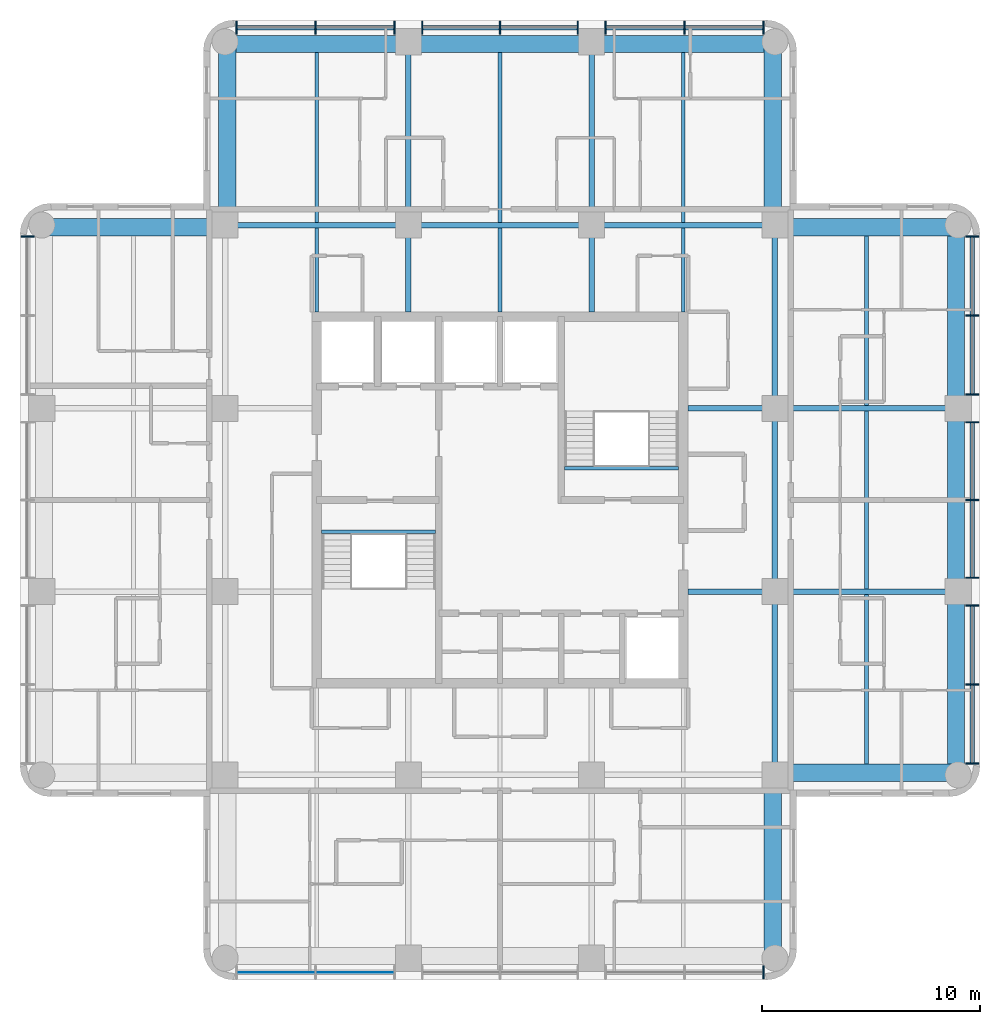
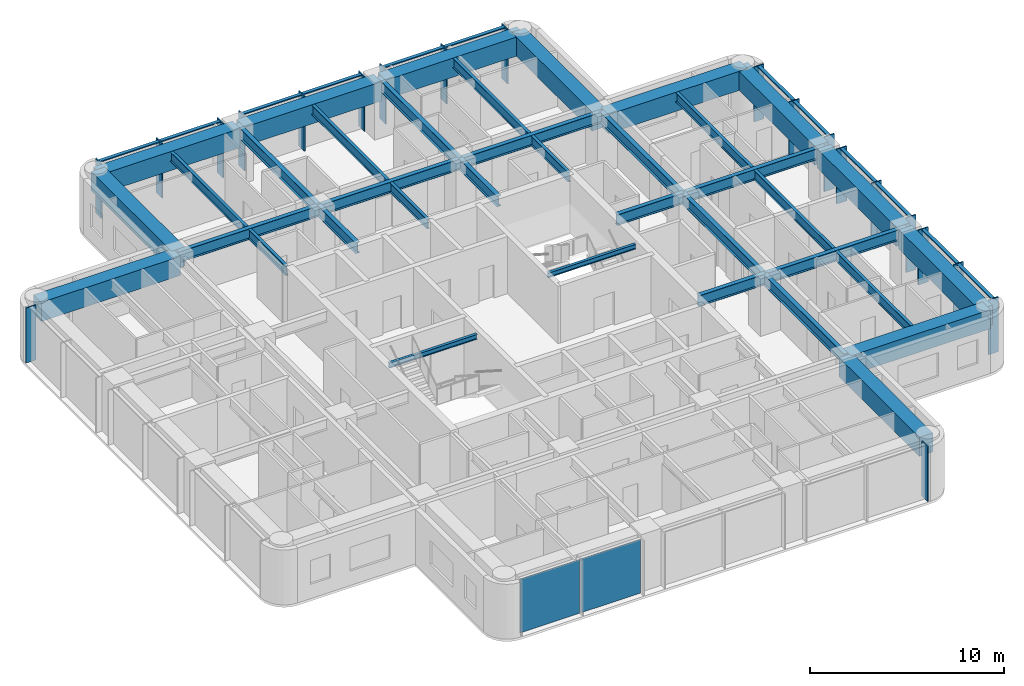
# One storey, part 2 of 10: 37 beams, 32 members, 2 plates, 4 elements without a shape of their own.
"""IFC4 building model written with IfcOpenShell, lengths in metres."""

from ifc_helpers import new_model, si_unit, direction, frame, origin, origin_2d, place, context, subcontext, project, spatial, rectangle, i_section, extrude, material, layer, layer_set, material_profile, profile_set, type_object, element, aggregate, save


model = new_model("IFC4")

# Units and contexts
model_context = context("Model", 3, precision=1e-05, world=origin(), true_north=direction((0.0, 1.0)))
body_context = subcontext(model_context, "Body", "Model", "MODEL_VIEW")
ifc_project = project(units=[si_unit("LENGTHUNIT", "METRE"), si_unit("AREAUNIT", "SQUARE_METRE"), si_unit("VOLUMEUNIT", "CUBIC_METRE"), si_unit("PLANEANGLEUNIT", "RADIAN"), si_unit("MASSUNIT", "GRAM", prefix="KILO")], contexts=[model_context])

# Site, building, storey
site_placement = place(None, origin())
site = spatial("IfcSite", under=ifc_project, at=site_placement, CompositionType="ELEMENT")
building_placement = place(site_placement, origin())
building = spatial("IfcBuilding", under=site, at=building_placement, Name="Torre Alcanfor", CompositionType="ELEMENT")
storey_placement = place(building_placement, frame((0.0, 0.0, 290.10009765625)))
storey = spatial("IfcBuildingStorey", under=building, at=storey_placement, Name="L76", CompositionType="ELEMENT", Elevation=290.10009765625)

# Curtain wall, member
ifc_material_1 = material(Name="Aluminium and glass", Category="aluminium")
curtain_wall_type = type_object("IfcCurtainWallType", Name="CW-A unitised apartment glazing with vertical FIN", PredefinedType="NOTDEFINED", material=ifc_material_1)
curtain_wall_1_placement = place(storey_placement, origin())
curtain_wall_1 = element("IfcCurtainWall", 1, at=curtain_wall_1_placement, inside=storey, type_object=curtain_wall_type, Name="Curtain wall CW-A L76 2", PredefinedType="NOTDEFINED")
ifc_material_2 = material(Name="Bronze anodised aluminium", Category="aluminium")
ifc_material_profile_1 = material_profile(ifc_material_2, rectangle(XDim=0.60009765625, YDim=0.06494140625, at=origin_2d()), Name="CW-A mullion 65x600")
ifc_profile_set_1 = profile_set([ifc_material_profile_1], Name="Bronze anodised aluminium")
member_type_1 = type_object("IfcMemberType", Name="CW-A mullion with vertical FIN 65x600", PredefinedType="MULLION", material=ifc_profile_set_1)
member_1_placement = place(storey_placement, frame((7.75, 41.47412109375, 0.0), z_axis=(0.0, 0.0, 1.0), x_axis=(1.0, 0.0, 0.0)))
member_1 = element("IfcMember", 2, at=member_1_placement, type_object=member_type_1, Name="CW-A mullion 1.1", PredefinedType="MULLION", context=body_context, shape_type="SweptSolid", body=[
    extrude(rectangle(XDim=0.60009765625, YDim=0.06494140625, at=origin_2d()), origin(), (0.0, 0.0, 1.0), 3.449951171875),
])
aggregate(curtain_wall_1, [member_1])

curtain_wall_2_placement = place(storey_placement, origin())
curtain_wall_2 = element("IfcCurtainWall", 3, at=curtain_wall_2_placement, inside=storey, type_object=curtain_wall_type, Name="Curtain wall CW-A L76 5", PredefinedType="NOTDEFINED")
member_2_placement = place(storey_placement, frame((41.47412109375, 7.75, 0.0), z_axis=(0.0, 0.0, 1.0), x_axis=(0.0, 1.0, 0.0)))
member_2 = element("IfcMember", 4, at=member_2_placement, type_object=member_type_1, Name="CW-A mullion 3.3", PredefinedType="MULLION", context=body_context, shape_type="SweptSolid", body=[
    extrude(rectangle(XDim=0.60009765625, YDim=0.06494140625, at=origin_2d()), origin(), (0.0, 0.0, 1.0), 3.449951171875),
])

# Curtain wall, members
curtain_wall_3_placement = place(storey_placement, origin())
curtain_wall_3 = element("IfcCurtainWall", 5, at=curtain_wall_3_placement, inside=storey, type_object=curtain_wall_type, Name="Curtain wall CW-A L76 8", PredefinedType="NOTDEFINED")
member_3_placement = place(storey_placement, frame((51.050048828125, 17.325927734375, 0.0), z_axis=(0.0, 0.0, 1.0), x_axis=(-1.0, 0.0, 0.0)))
member_3 = element("IfcMember", 6, at=member_3_placement, type_object=member_type_1, Name="CW-A mullion 1.1", PredefinedType="MULLION", context=body_context, shape_type="SweptSolid", body=[
    extrude(rectangle(XDim=0.60009765625, YDim=0.06494140625, at=origin_2d()), origin(), (0.0, 0.0, 1.0), 3.449951171875),
])
member_4_placement = place(storey_placement, frame((51.050048828125, 20.9443359375, 0.0), z_axis=(0.0, 0.0, 1.0), x_axis=(-1.0, 0.0, 0.0)))
member_4 = element("IfcMember", 7, at=member_4_placement, type_object=member_type_1, Name="CW-A mullion 1.2", PredefinedType="MULLION", context=body_context, shape_type="SweptSolid", body=[
    extrude(rectangle(XDim=0.60009765625, YDim=0.06494140625, at=origin_2d()), origin(), (0.0, 0.0, 1.0), 3.449951171875),
])
member_5_placement = place(storey_placement, frame((51.050048828125, 24.5625, 0.0), z_axis=(0.0, 0.0, 1.0), x_axis=(-1.0, 0.0, 0.0)))
member_5 = element("IfcMember", 8, at=member_5_placement, type_object=member_type_1, Name="CW-A mullion 1.3", PredefinedType="MULLION", context=body_context, shape_type="SweptSolid", body=[
    extrude(rectangle(XDim=0.60009765625, YDim=0.06494140625, at=origin_2d()), origin(), (0.0, 0.0, 1.0), 3.449951171875),
])
member_6_placement = place(storey_placement, frame((51.050048828125, 25.83740234375, 0.0), z_axis=(0.0, 0.0, 1.0), x_axis=(-1.0, 0.0, 0.0)))
member_6 = element("IfcMember", 9, at=member_6_placement, type_object=member_type_1, Name="CW-A mullion 2.1", PredefinedType="MULLION", context=body_context, shape_type="SweptSolid", body=[
    extrude(rectangle(XDim=0.60009765625, YDim=0.06494140625, at=origin_2d()), origin(), (0.0, 0.0, 1.0), 3.449951171875),
])
member_7_placement = place(storey_placement, frame((51.050048828125, 29.39990234375, 0.0), z_axis=(0.0, 0.0, 1.0), x_axis=(-1.0, 0.0, 0.0)))
member_7 = element("IfcMember", 10, at=member_7_placement, type_object=member_type_1, Name="CW-A mullion 2.2", PredefinedType="MULLION", context=body_context, shape_type="SweptSolid", body=[
    extrude(rectangle(XDim=0.60009765625, YDim=0.06494140625, at=origin_2d()), origin(), (0.0, 0.0, 1.0), 3.449951171875),
])
member_8_placement = place(storey_placement, frame((51.050048828125, 32.96240234375, 0.0), z_axis=(0.0, 0.0, 1.0), x_axis=(-1.0, 0.0, 0.0)))
member_8 = element("IfcMember", 11, at=member_8_placement, type_object=member_type_1, Name="CW-A mullion 2.3", PredefinedType="MULLION", context=body_context, shape_type="SweptSolid", body=[
    extrude(rectangle(XDim=0.60009765625, YDim=0.06494140625, at=origin_2d()), origin(), (0.0, 0.0, 1.0), 3.449951171875),
])
member_9_placement = place(storey_placement, frame((51.050048828125, 34.237548828125, 0.0), z_axis=(0.0, 0.0, 1.0), x_axis=(-1.0, 0.0, 0.0)))
member_9 = element("IfcMember", 12, at=member_9_placement, type_object=member_type_1, Name="CW-A mullion 3.1", PredefinedType="MULLION", context=body_context, shape_type="SweptSolid", body=[
    extrude(rectangle(XDim=0.60009765625, YDim=0.06494140625, at=origin_2d()), origin(), (0.0, 0.0, 1.0), 3.449951171875),
])
member_10_placement = place(storey_placement, frame((51.050048828125, 37.855712890625, 0.0), z_axis=(0.0, 0.0, 1.0), x_axis=(-1.0, 0.0, 0.0)))
member_10 = element("IfcMember", 13, at=member_10_placement, type_object=member_type_1, Name="CW-A mullion 3.2", PredefinedType="MULLION", context=body_context, shape_type="SweptSolid", body=[
    extrude(rectangle(XDim=0.60009765625, YDim=0.06494140625, at=origin_2d()), origin(), (0.0, 0.0, 1.0), 3.449951171875),
])
member_11_placement = place(storey_placement, frame((51.050048828125, 41.47412109375, 0.0), z_axis=(0.0, 0.0, 1.0), x_axis=(-1.0, 0.0, 0.0)))
member_11 = element("IfcMember", 14, at=member_11_placement, type_object=member_type_1, Name="CW-A mullion 3.3", PredefinedType="MULLION", context=body_context, shape_type="SweptSolid", body=[
    extrude(rectangle(XDim=0.60009765625, YDim=0.06494140625, at=origin_2d()), origin(), (0.0, 0.0, 1.0), 3.449951171875),
])

curtain_wall_4_placement = place(storey_placement, origin())
curtain_wall_4 = element("IfcCurtainWall", 15, at=curtain_wall_4_placement, inside=storey, type_object=curtain_wall_type, Name="Curtain wall CW-A L76 11", PredefinedType="NOTDEFINED")
member_12_placement = place(storey_placement, frame((41.47412109375, 51.050048828125, 0.0), z_axis=(0.0, 0.0, 1.0), x_axis=(0.0, -1.0, 0.0)))
member_12 = element("IfcMember", 16, at=member_12_placement, type_object=member_type_1, Name="CW-A mullion 1.1", PredefinedType="MULLION", context=body_context, shape_type="SweptSolid", body=[
    extrude(rectangle(XDim=0.60009765625, YDim=0.06494140625, at=origin_2d()), origin(), (0.0, 0.0, 1.0), 3.449951171875),
])
member_13_placement = place(storey_placement, frame((37.855712890625, 51.050048828125, 0.0), z_axis=(0.0, 0.0, 1.0), x_axis=(0.0, -1.0, 0.0)))
member_13 = element("IfcMember", 17, at=member_13_placement, type_object=member_type_1, Name="CW-A mullion 1.2", PredefinedType="MULLION", context=body_context, shape_type="SweptSolid", body=[
    extrude(rectangle(XDim=0.60009765625, YDim=0.06494140625, at=origin_2d()), origin(), (0.0, 0.0, 1.0), 3.449951171875),
])
member_14_placement = place(storey_placement, frame((34.237548828125, 51.050048828125, 0.0), z_axis=(0.0, 0.0, 1.0), x_axis=(0.0, -1.0, 0.0)))
member_14 = element("IfcMember", 18, at=member_14_placement, type_object=member_type_1, Name="CW-A mullion 1.3", PredefinedType="MULLION", context=body_context, shape_type="SweptSolid", body=[
    extrude(rectangle(XDim=0.60009765625, YDim=0.06494140625, at=origin_2d()), origin(), (0.0, 0.0, 1.0), 3.449951171875),
])
member_15_placement = place(storey_placement, frame((32.96240234375, 51.050048828125, 0.0), z_axis=(0.0, 0.0, 1.0), x_axis=(0.0, -1.0, 0.0)))
member_15 = element("IfcMember", 19, at=member_15_placement, type_object=member_type_1, Name="CW-A mullion 2.1", PredefinedType="MULLION", context=body_context, shape_type="SweptSolid", body=[
    extrude(rectangle(XDim=0.60009765625, YDim=0.06494140625, at=origin_2d()), origin(), (0.0, 0.0, 1.0), 3.449951171875),
])
member_16_placement = place(storey_placement, frame((29.39990234375, 51.050048828125, 0.0), z_axis=(0.0, 0.0, 1.0), x_axis=(0.0, -1.0, 0.0)))
member_16 = element("IfcMember", 20, at=member_16_placement, type_object=member_type_1, Name="CW-A mullion 2.2", PredefinedType="MULLION", context=body_context, shape_type="SweptSolid", body=[
    extrude(rectangle(XDim=0.60009765625, YDim=0.06494140625, at=origin_2d()), origin(), (0.0, 0.0, 1.0), 3.449951171875),
])
member_17_placement = place(storey_placement, frame((25.83740234375, 51.050048828125, 0.0), z_axis=(0.0, 0.0, 1.0), x_axis=(0.0, -1.0, 0.0)))
member_17 = element("IfcMember", 21, at=member_17_placement, type_object=member_type_1, Name="CW-A mullion 2.3", PredefinedType="MULLION", context=body_context, shape_type="SweptSolid", body=[
    extrude(rectangle(XDim=0.60009765625, YDim=0.06494140625, at=origin_2d()), origin(), (0.0, 0.0, 1.0), 3.449951171875),
])
member_18_placement = place(storey_placement, frame((24.5625, 51.050048828125, 0.0), z_axis=(0.0, 0.0, 1.0), x_axis=(0.0, -1.0, 0.0)))
member_18 = element("IfcMember", 22, at=member_18_placement, type_object=member_type_1, Name="CW-A mullion 3.1", PredefinedType="MULLION", context=body_context, shape_type="SweptSolid", body=[
    extrude(rectangle(XDim=0.60009765625, YDim=0.06494140625, at=origin_2d()), origin(), (0.0, 0.0, 1.0), 3.449951171875),
])
member_19_placement = place(storey_placement, frame((20.9443359375, 51.050048828125, 0.0), z_axis=(0.0, 0.0, 1.0), x_axis=(0.0, -1.0, 0.0)))
member_19 = element("IfcMember", 23, at=member_19_placement, type_object=member_type_1, Name="CW-A mullion 3.2", PredefinedType="MULLION", context=body_context, shape_type="SweptSolid", body=[
    extrude(rectangle(XDim=0.60009765625, YDim=0.06494140625, at=origin_2d()), origin(), (0.0, 0.0, 1.0), 3.449951171875),
])
member_20_placement = place(storey_placement, frame((17.325927734375, 51.050048828125, 0.0), z_axis=(0.0, 0.0, 1.0), x_axis=(0.0, -1.0, 0.0)))
member_20 = element("IfcMember", 24, at=member_20_placement, type_object=member_type_1, Name="CW-A mullion 3.3", PredefinedType="MULLION", context=body_context, shape_type="SweptSolid", body=[
    extrude(rectangle(XDim=0.60009765625, YDim=0.06494140625, at=origin_2d()), origin(), (0.0, 0.0, 1.0), 3.449951171875),
])

# Member
ifc_material_3 = material(Name="Extruded aluminium", Category="aluminium")
ifc_material_profile_2 = material_profile(ifc_material_3, rectangle(XDim=0.199951171875, YDim=0.06494140625, at=origin_2d()), Name="CW-A transom 200x65")
ifc_profile_set_2 = profile_set([ifc_material_profile_2], Name="Extruded aluminium")
member_type_2 = type_object("IfcMemberType", Name="CW-A transom 65x200", PredefinedType="USERDEFINED", material=ifc_profile_set_2)
member_21_placement = place(storey_placement, frame((51.050048828125, 17.3583984375, 3.41748046875), z_axis=(0.0, 1.0, 0.0), x_axis=(-1.0, 0.0, 0.0)))
member_21 = element("IfcMember", 25, at=member_21_placement, type_object=member_type_2, Name="CW-A transom 1.1.2", ObjectType="TRANSOM", PredefinedType="USERDEFINED", context=body_context, shape_type="SweptSolid", body=[
    extrude(rectangle(XDim=0.199951171875, YDim=0.06494140625, at=origin_2d()), origin(), (0.0, 0.0, 1.0), 3.553466796875),
])

member_22_placement = place(storey_placement, frame((51.050048828125, 20.976806640625, 3.41748046875), z_axis=(0.0, 1.0, 0.0), x_axis=(-1.0, 0.0, 0.0)))
member_22 = element("IfcMember", 26, at=member_22_placement, type_object=member_type_2, Name="CW-A transom 1.2.2", ObjectType="TRANSOM", PredefinedType="USERDEFINED", context=body_context, shape_type="SweptSolid", body=[
    extrude(rectangle(XDim=0.199951171875, YDim=0.06494140625, at=origin_2d()), origin(), (0.0, 0.0, 1.0), 3.55322265625),
])

member_23_placement = place(storey_placement, frame((51.050048828125, 25.8701171875, 3.41748046875), z_axis=(0.0, 1.0, 0.0), x_axis=(-1.0, 0.0, 0.0)))
member_23 = element("IfcMember", 27, at=member_23_placement, type_object=member_type_2, Name="CW-A transom 2.1.2", ObjectType="TRANSOM", PredefinedType="USERDEFINED", context=body_context, shape_type="SweptSolid", body=[
    extrude(rectangle(XDim=0.199951171875, YDim=0.06494140625, at=origin_2d()), origin(), (0.0, 0.0, 1.0), 3.497314453125),
])

member_24_placement = place(storey_placement, frame((51.050048828125, 29.4326171875, 3.41748046875), z_axis=(0.0, 1.0, 0.0), x_axis=(-1.0, 0.0, 0.0)))
member_24 = element("IfcMember", 28, at=member_24_placement, type_object=member_type_2, Name="CW-A transom 2.2.2", ObjectType="TRANSOM", PredefinedType="USERDEFINED", context=body_context, shape_type="SweptSolid", body=[
    extrude(rectangle(XDim=0.199951171875, YDim=0.06494140625, at=origin_2d()), origin(), (0.0, 0.0, 1.0), 3.497314453125),
])

member_25_placement = place(storey_placement, frame((51.050048828125, 34.27001953125, 3.41748046875), z_axis=(0.0, 1.0, 0.0), x_axis=(-1.0, 0.0, 0.0)))
member_25 = element("IfcMember", 29, at=member_25_placement, type_object=member_type_2, Name="CW-A transom 3.1.2", ObjectType="TRANSOM", PredefinedType="USERDEFINED", context=body_context, shape_type="SweptSolid", body=[
    extrude(rectangle(XDim=0.199951171875, YDim=0.06494140625, at=origin_2d()), origin(), (0.0, 0.0, 1.0), 3.55322265625),
])

member_26_placement = place(storey_placement, frame((51.050048828125, 37.88818359375, 3.41748046875), z_axis=(0.0, 1.0, 0.0), x_axis=(-1.0, 0.0, 0.0)))
member_26 = element("IfcMember", 30, at=member_26_placement, type_object=member_type_2, Name="CW-A transom 3.2.2", ObjectType="TRANSOM", PredefinedType="USERDEFINED", context=body_context, shape_type="SweptSolid", body=[
    extrude(rectangle(XDim=0.199951171875, YDim=0.06494140625, at=origin_2d()), origin(), (0.0, 0.0, 1.0), 3.55322265625),
])

aggregate(curtain_wall_3, [member_3, member_4, member_5, member_21, member_22, member_6, member_7, member_8, member_23, member_24, member_9, member_10, member_11, member_25, member_26])

member_27_placement = place(storey_placement, frame((41.44140625, 51.050048828125, 3.41748046875), z_axis=(-1.0, 0.0, 0.0), x_axis=(0.0, -1.0, 0.0)))
member_27 = element("IfcMember", 31, at=member_27_placement, type_object=member_type_2, Name="CW-A transom 1.1.2", ObjectType="TRANSOM", PredefinedType="USERDEFINED", context=body_context, shape_type="SweptSolid", body=[
    extrude(rectangle(XDim=0.199951171875, YDim=0.06494140625, at=origin_2d()), origin(), (0.0, 0.0, 1.0), 3.55322265625),
])

member_28_placement = place(storey_placement, frame((37.8232421875, 51.050048828125, 3.41748046875), z_axis=(-1.0, 0.0, 0.0), x_axis=(0.0, -1.0, 0.0)))
member_28 = element("IfcMember", 32, at=member_28_placement, type_object=member_type_2, Name="CW-A transom 1.2.2", ObjectType="TRANSOM", PredefinedType="USERDEFINED", context=body_context, shape_type="SweptSolid", body=[
    extrude(rectangle(XDim=0.199951171875, YDim=0.06494140625, at=origin_2d()), origin(), (0.0, 0.0, 1.0), 3.55322265625),
])

member_29_placement = place(storey_placement, frame((32.929931640625, 51.050048828125, 3.41748046875), z_axis=(-1.0, 0.0, 0.0), x_axis=(0.0, -1.0, 0.0)))
member_29 = element("IfcMember", 33, at=member_29_placement, type_object=member_type_2, Name="CW-A transom 2.1.2", ObjectType="TRANSOM", PredefinedType="USERDEFINED", context=body_context, shape_type="SweptSolid", body=[
    extrude(rectangle(XDim=0.199951171875, YDim=0.06494140625, at=origin_2d()), origin(), (0.0, 0.0, 1.0), 3.497314453125),
])

member_30_placement = place(storey_placement, frame((29.367431640625, 51.050048828125, 3.41748046875), z_axis=(-1.0, 0.0, 0.0), x_axis=(0.0, -1.0, 0.0)))
member_30 = element("IfcMember", 34, at=member_30_placement, type_object=member_type_2, Name="CW-A transom 2.2.2", ObjectType="TRANSOM", PredefinedType="USERDEFINED", context=body_context, shape_type="SweptSolid", body=[
    extrude(rectangle(XDim=0.199951171875, YDim=0.06494140625, at=origin_2d()), origin(), (0.0, 0.0, 1.0), 3.497314453125),
])

member_31_placement = place(storey_placement, frame((24.530029296875, 51.050048828125, 3.41748046875), z_axis=(-1.0, 0.0, 0.0), x_axis=(0.0, -1.0, 0.0)))
member_31 = element("IfcMember", 35, at=member_31_placement, type_object=member_type_2, Name="CW-A transom 3.1.2", ObjectType="TRANSOM", PredefinedType="USERDEFINED", context=body_context, shape_type="SweptSolid", body=[
    extrude(rectangle(XDim=0.199951171875, YDim=0.06494140625, at=origin_2d()), origin(), (0.0, 0.0, 1.0), 3.55322265625),
])

member_32_placement = place(storey_placement, frame((20.911865234375, 51.050048828125, 3.41748046875), z_axis=(-1.0, 0.0, 0.0), x_axis=(0.0, -1.0, 0.0)))
member_32 = element("IfcMember", 36, at=member_32_placement, type_object=member_type_2, Name="CW-A transom 3.2.2", ObjectType="TRANSOM", PredefinedType="USERDEFINED", context=body_context, shape_type="SweptSolid", body=[
    extrude(rectangle(XDim=0.199951171875, YDim=0.06494140625, at=origin_2d()), origin(), (0.0, 0.0, 1.0), 3.553466796875),
])

aggregate(curtain_wall_4, [member_12, member_13, member_14, member_27, member_28, member_15, member_16, member_17, member_29, member_30, member_18, member_19, member_20, member_31, member_32])

# Beams
ifc_material_4 = material(Name="Steel ASTM A992 Grade 50", Category="steel")
ifc_material_profile_3 = material_profile(ifc_material_4, i_section(OverallWidth=0.25390625, OverallDepth=0.683349609375, WebThickness=0.012451171875, FlangeThickness=0.01904296875, at=origin_2d()), Name="W27x94")
ifc_profile_set_3 = profile_set([ifc_material_profile_3], Name="Steel ASTM A992 Grade 50")
beam_type_1 = type_object("IfcBeamType", Name="Girder W27x94", PredefinedType="BEAM", material=ifc_profile_set_3)
for number, where, z_axis, x_axis, name in (
    (37, (42.0, 25.199951171875, 3.108154296875), (1.0, 0.0, 0.0), (0.0, 1.0, 0.0), "Beam 6F-7F under L77"),
    (38, (42.0, 33.60009765625, 3.108154296875), (1.0, 0.0, 0.0), (0.0, 1.0, 0.0), "Beam 6G-7G under L77"),
    (39, (16.800048828125, 42.0, 3.108154296875), (1.0, 0.0, 0.0), (0.0, 1.0, 0.0), "Beam 3H-4H under L77"),
):
    element("IfcBeam", number, at=place(storey_placement, frame(where, z_axis=z_axis, x_axis=x_axis)), inside=storey, type_object=beam_type_1, Name=name, PredefinedType="BEAM", context=body_context, shape_type="SweptSolid", body=[
        extrude(i_section(OverallWidth=0.25390625, OverallDepth=0.683349609375, WebThickness=0.012451171875, FlangeThickness=0.01904296875, at=origin_2d()), origin(), (0.0, 0.0, 1.0), 8.39990234375),
    ])
beam_1_placement = place(storey_placement, frame((25.199951171875, 42.0, 3.108154296875), z_axis=(1.0, 0.0, 0.0), x_axis=(0.0, 1.0, 0.0)))
element("IfcBeam", 40, at=beam_1_placement, inside=storey, type_object=beam_type_1, Name="Beam 4H-5H under L77", PredefinedType="BEAM", context=body_context, shape_type="SweptSolid", body=[
    extrude(i_section(OverallWidth=0.25390625, OverallDepth=0.683349609375, WebThickness=0.012451171875, FlangeThickness=0.01904296875, at=origin_2d()), origin(), (0.0, 0.0, 1.0), 8.400146484375),
])
for number, where, z_axis, x_axis, name in (
    (41, (33.60009765625, 42.0, 3.108154296875), (1.0, 0.0, 0.0), (0.0, 1.0, 0.0), "Beam 5H-6H under L77"),
    (42, (25.199951171875, 42.0, 3.108154296875), (0.0, 1.0, 0.0), (-1.0, 0.0, 0.0), "Beam 4H-4J under L77"),
    (43, (33.60009765625, 42.0, 3.108154296875), (0.0, 1.0, 0.0), (-1.0, 0.0, 0.0), "Beam 5H-5J under L77"),
    (44, (42.0, 16.800048828125, 3.108154296875), (0.0, 1.0, 0.0), (-1.0, 0.0, 0.0), "Beam 6E-6F under L77"),
):
    element("IfcBeam", number, at=place(storey_placement, frame(where, z_axis=z_axis, x_axis=x_axis)), inside=storey, type_object=beam_type_1, Name=name, PredefinedType="BEAM", context=body_context, shape_type="SweptSolid", body=[
        extrude(i_section(OverallWidth=0.25390625, OverallDepth=0.683349609375, WebThickness=0.012451171875, FlangeThickness=0.01904296875, at=origin_2d()), origin(), (0.0, 0.0, 1.0), 8.39990234375),
    ])
beam_2_placement = place(storey_placement, frame((42.0, 25.199951171875, 3.108154296875), z_axis=(0.0, 1.0, 0.0), x_axis=(-1.0, 0.0, 0.0)))
element("IfcBeam", 45, at=beam_2_placement, inside=storey, type_object=beam_type_1, Name="Beam 6F-6G under L77", PredefinedType="BEAM", context=body_context, shape_type="SweptSolid", body=[
    extrude(i_section(OverallWidth=0.25390625, OverallDepth=0.683349609375, WebThickness=0.012451171875, FlangeThickness=0.01904296875, at=origin_2d()), origin(), (0.0, 0.0, 1.0), 8.400146484375),
])
beam_3_placement = place(storey_placement, frame((42.0, 33.60009765625, 3.108154296875), z_axis=(0.0, 1.0, 0.0), x_axis=(-1.0, 0.0, 0.0)))
element("IfcBeam", 46, at=beam_3_placement, inside=storey, type_object=beam_type_1, Name="Beam 6G-6H under L77", PredefinedType="BEAM", context=body_context, shape_type="SweptSolid", body=[
    extrude(i_section(OverallWidth=0.25390625, OverallDepth=0.683349609375, WebThickness=0.012451171875, FlangeThickness=0.01904296875, at=origin_2d()), origin(), (0.0, 0.0, 1.0), 8.39990234375),
])
ifc_material_5 = material(Name="Steel ASTM A992 Grade 50", Category="steel")
ifc_material_profile_4 = material_profile(ifc_material_5, i_section(OverallWidth=0.25390625, OverallDepth=0.683349609375, WebThickness=0.012451171875, FlangeThickness=0.01904296875, at=origin_2d()), Name="W27x94")
ifc_profile_set_4 = profile_set([ifc_material_profile_4], Name="Steel ASTM A992 Grade 50")
beam_type_2 = type_object("IfcBeamType", Name="Girder, part bay W27x94", PredefinedType="BEAM", material=ifc_profile_set_4)
for number, where, z_axis, x_axis, name in (
    (47, (25.199951171875, 42.0, 3.108154296875), (0.0, -1.0, 0.0), (1.0, 0.0, 0.0), "Beam 4H-438_025 under L77"),
    (48, (33.60009765625, 42.0, 3.108154296875), (0.0, -1.0, 0.0), (1.0, 0.0, 0.0), "Beam 5H-538_025 under L77"),
    (49, (42.0, 25.199951171875, 3.108154296875), (-1.0, 0.0, 0.0), (0.0, -1.0, 0.0), "Beam 6F-38_025F under L77"),
    (50, (42.0, 33.60009765625, 3.108154296875), (-1.0, 0.0, 0.0), (0.0, -1.0, 0.0), "Beam 6G-38_025G under L77"),
):
    element("IfcBeam", number, at=place(storey_placement, frame(where, z_axis=z_axis, x_axis=x_axis)), inside=storey, type_object=beam_type_2, Name=name, PredefinedType="BEAM", context=body_context, shape_type="SweptSolid", body=[
        extrude(i_section(OverallWidth=0.25390625, OverallDepth=0.683349609375, WebThickness=0.012451171875, FlangeThickness=0.01904296875, at=origin_2d()), origin(), (0.0, 0.0, 1.0), 3.97509765625),
    ])
ifc_material_6 = material(Name="Concrete f'c 70 MPa", Category="concrete")
ifc_material_profile_5 = material_profile(ifc_material_6, rectangle(XDim=0.800048828125, YDim=1.199951171875, at=origin_2d()), Name="800x1200")
ifc_profile_set_5 = profile_set([ifc_material_profile_5], Name="Concrete f'c 70 MPa")
beam_type_3 = type_object("IfcBeamType", Name="RC perimeter beam 800x1200", PredefinedType="BEAM", material=ifc_profile_set_5)
beam_4_placement = place(storey_placement, frame((42.126953125, 16.89990234375, 2.849853515625), z_axis=(1.0, 0.0, 0.0), x_axis=(0.0, 1.0, 0.0)))
element("IfcBeam", 51, at=beam_4_placement, inside=storey, type_object=beam_type_3, Name="Beam 6E-7E under L77", PredefinedType="BEAM", context=body_context, shape_type="SweptSolid", body=[
    extrude(rectangle(XDim=0.800048828125, YDim=1.199951171875, at=origin_2d()), origin(), (0.0, 0.0, 1.0), 8.27294921875),
])
beam_5_placement = place(storey_placement, frame((8.39990234375, 41.89990234375, 2.849853515625), z_axis=(1.0, 0.0, 0.0), x_axis=(0.0, 1.0, 0.0)))
element("IfcBeam", 52, at=beam_5_placement, inside=storey, type_object=beam_type_3, Name="Beam 2H-3H under L77", PredefinedType="BEAM", context=body_context, shape_type="SweptSolid", body=[
    extrude(rectangle(XDim=0.800048828125, YDim=1.199951171875, at=origin_2d()), origin(), (0.0, 0.0, 1.0), 8.273193359375),
])
for number, where, z_axis, x_axis, name in (
    (53, (42.126953125, 41.89990234375, 2.849853515625), (1.0, 0.0, 0.0), (0.0, 1.0, 0.0), "Beam 6H-7H under L77"),
    (54, (16.800048828125, 50.300048828125, 2.849853515625), (1.0, 0.0, 0.0), (0.0, 1.0, 0.0), "Beam 3J-4J under L77"),
):
    element("IfcBeam", number, at=place(storey_placement, frame(where, z_axis=z_axis, x_axis=x_axis)), inside=storey, type_object=beam_type_3, Name=name, PredefinedType="BEAM", context=body_context, shape_type="SweptSolid", body=[
        extrude(rectangle(XDim=0.800048828125, YDim=1.199951171875, at=origin_2d()), origin(), (0.0, 0.0, 1.0), 8.27294921875),
    ])
beam_6_placement = place(storey_placement, frame((25.326904296875, 50.300048828125, 2.849853515625), z_axis=(1.0, 0.0, 0.0), x_axis=(0.0, 1.0, 0.0)))
element("IfcBeam", 55, at=beam_6_placement, inside=storey, type_object=beam_type_3, Name="Beam 4J-5J under L77", PredefinedType="BEAM", context=body_context, shape_type="SweptSolid", body=[
    extrude(rectangle(XDim=0.800048828125, YDim=1.199951171875, at=origin_2d()), origin(), (0.0, 0.0, 1.0), 8.14599609375),
])
for number, where, z_axis, x_axis, name in (
    (56, (33.72705078125, 50.300048828125, 2.849853515625), (1.0, 0.0, 0.0), (0.0, 1.0, 0.0), "Beam 5J-6J under L77"),
    (57, (16.89990234375, 42.126953125, 2.849853515625), (0.0, 1.0, 0.0), (-1.0, 0.0, 0.0), "Beam 3H-3J under L77"),
):
    element("IfcBeam", number, at=place(storey_placement, frame(where, z_axis=z_axis, x_axis=x_axis)), inside=storey, type_object=beam_type_3, Name=name, PredefinedType="BEAM", context=body_context, shape_type="SweptSolid", body=[
        extrude(rectangle(XDim=0.800048828125, YDim=1.199951171875, at=origin_2d()), origin(), (0.0, 0.0, 1.0), 8.27294921875),
    ])
beam_7_placement = place(storey_placement, frame((41.89990234375, 8.39990234375, 2.849853515625), z_axis=(0.0, 1.0, 0.0), x_axis=(-1.0, 0.0, 0.0)))
element("IfcBeam", 58, at=beam_7_placement, inside=storey, type_object=beam_type_3, Name="Beam 6D-6E under L77", PredefinedType="BEAM", context=body_context, shape_type="SweptSolid", body=[
    extrude(rectangle(XDim=0.800048828125, YDim=1.199951171875, at=origin_2d()), origin(), (0.0, 0.0, 1.0), 8.273193359375),
])
for number, where, z_axis, x_axis, name in (
    (59, (41.89990234375, 42.126953125, 2.849853515625), (0.0, 1.0, 0.0), (-1.0, 0.0, 0.0), "Beam 6H-6J under L77"),
    (60, (50.300048828125, 16.800048828125, 2.849853515625), (0.0, 1.0, 0.0), (-1.0, 0.0, 0.0), "Beam 7E-7F under L77"),
):
    element("IfcBeam", number, at=place(storey_placement, frame(where, z_axis=z_axis, x_axis=x_axis)), inside=storey, type_object=beam_type_3, Name=name, PredefinedType="BEAM", context=body_context, shape_type="SweptSolid", body=[
        extrude(rectangle(XDim=0.800048828125, YDim=1.199951171875, at=origin_2d()), origin(), (0.0, 0.0, 1.0), 8.27294921875),
    ])
beam_8_placement = place(storey_placement, frame((50.300048828125, 25.326904296875, 2.849853515625), z_axis=(0.0, 1.0, 0.0), x_axis=(-1.0, 0.0, 0.0)))
element("IfcBeam", 61, at=beam_8_placement, inside=storey, type_object=beam_type_3, Name="Beam 7F-7G under L77", PredefinedType="BEAM", context=body_context, shape_type="SweptSolid", body=[
    extrude(rectangle(XDim=0.800048828125, YDim=1.199951171875, at=origin_2d()), origin(), (0.0, 0.0, 1.0), 8.14599609375),
])
beam_9_placement = place(storey_placement, frame((50.300048828125, 33.72705078125, 2.849853515625), z_axis=(0.0, 1.0, 0.0), x_axis=(-1.0, 0.0, 0.0)))
element("IfcBeam", 62, at=beam_9_placement, inside=storey, type_object=beam_type_3, Name="Beam 7G-7H under L77", PredefinedType="BEAM", context=body_context, shape_type="SweptSolid", body=[
    extrude(rectangle(XDim=0.800048828125, YDim=1.199951171875, at=origin_2d()), origin(), (0.0, 0.0, 1.0), 8.27294921875),
])
ifc_material_7 = material(Name="Steel ASTM A992 Grade 50", Category="steel")
ifc_material_profile_6 = material_profile(ifc_material_7, i_section(OverallWidth=0.1787109375, OverallDepth=0.60205078125, WebThickness=0.010986328125, FlangeThickness=0.014892578125, at=origin_2d()), Name="W24x62")
ifc_profile_set_6 = profile_set([ifc_material_profile_6], Name="Steel ASTM A992 Grade 50")
beam_type_4 = type_object("IfcBeamType", Name="Secondary beam W24x62", PredefinedType="BEAM", material=ifc_profile_set_6)
for number, where, z_axis, x_axis, name in (
    (63, (21.0, 42.126953125, 3.14892578125), (0.0, 1.0, 0.0), (-1.0, 0.0, 0.0), "Beam 21H-21J under L77"),
    (64, (29.39990234375, 42.126953125, 3.14892578125), (0.0, 1.0, 0.0), (-1.0, 0.0, 0.0), "Beam 29_4H-29_4J under L77"),
    (65, (37.800048828125, 42.126953125, 3.14892578125), (0.0, 1.0, 0.0), (-1.0, 0.0, 0.0), "Beam 37_8H-37_8J under L77"),
    (66, (46.199951171875, 17.300048828125, 3.14892578125), (0.0, 1.0, 0.0), (-1.0, 0.0, 0.0), "Beam 46_2E-46_2F under L77"),
):
    element("IfcBeam", number, at=place(storey_placement, frame(where, z_axis=z_axis, x_axis=x_axis)), inside=storey, type_object=beam_type_4, Name=name, PredefinedType="BEAM", context=body_context, shape_type="SweptSolid", body=[
        extrude(i_section(OverallWidth=0.1787109375, OverallDepth=0.60205078125, WebThickness=0.010986328125, FlangeThickness=0.014892578125, at=origin_2d()), origin(), (0.0, 0.0, 1.0), 7.77294921875),
    ])
beam_10_placement = place(storey_placement, frame((46.199951171875, 25.326904296875, 3.14892578125), z_axis=(0.0, 1.0, 0.0), x_axis=(-1.0, 0.0, 0.0)))
element("IfcBeam", 67, at=beam_10_placement, inside=storey, type_object=beam_type_4, Name="Beam 46_2F-46_2G under L77", PredefinedType="BEAM", context=body_context, shape_type="SweptSolid", body=[
    extrude(i_section(OverallWidth=0.1787109375, OverallDepth=0.60205078125, WebThickness=0.010986328125, FlangeThickness=0.014892578125, at=origin_2d()), origin(), (0.0, 0.0, 1.0), 8.14599609375),
])
beam_11_placement = place(storey_placement, frame((46.199951171875, 33.72705078125, 3.14892578125), z_axis=(0.0, 1.0, 0.0), x_axis=(-1.0, 0.0, 0.0)))
element("IfcBeam", 68, at=beam_11_placement, inside=storey, type_object=beam_type_4, Name="Beam 46_2G-46_2H under L77", PredefinedType="BEAM", context=body_context, shape_type="SweptSolid", body=[
    extrude(i_section(OverallWidth=0.1787109375, OverallDepth=0.60205078125, WebThickness=0.010986328125, FlangeThickness=0.014892578125, at=origin_2d()), origin(), (0.0, 0.0, 1.0), 7.77294921875),
])
ifc_material_8 = material(Name="Steel ASTM A992 Grade 50", Category="steel")
ifc_material_profile_7 = material_profile(ifc_material_8, i_section(OverallWidth=0.1787109375, OverallDepth=0.60205078125, WebThickness=0.010986328125, FlangeThickness=0.014892578125, at=origin_2d()), Name="W24x62")
ifc_profile_set_7 = profile_set([ifc_material_profile_7], Name="Steel ASTM A992 Grade 50")
beam_type_5 = type_object("IfcBeamType", Name="Secondary beam, part bay W24x62", PredefinedType="BEAM", material=ifc_profile_set_7)
for number, where, z_axis, x_axis, name in (
    (69, (21.0, 38.02490234375, 3.14892578125), (0.0, 1.0, 0.0), (-1.0, 0.0, 0.0), "Beam 2138_025-21H under L77"),
    (70, (29.39990234375, 38.02490234375, 3.14892578125), (0.0, 1.0, 0.0), (-1.0, 0.0, 0.0), "Beam 29_438_025-29_4H under L77"),
    (71, (37.800048828125, 38.02490234375, 3.14892578125), (0.0, 1.0, 0.0), (-1.0, 0.0, 0.0), "Beam 37_838_025-37_8H under L77"),
):
    element("IfcBeam", number, at=place(storey_placement, frame(where, z_axis=z_axis, x_axis=x_axis)), inside=storey, type_object=beam_type_5, Name=name, PredefinedType="BEAM", context=body_context, shape_type="SweptSolid", body=[
        extrude(i_section(OverallWidth=0.1787109375, OverallDepth=0.60205078125, WebThickness=0.010986328125, FlangeThickness=0.014892578125, at=origin_2d()), origin(), (0.0, 0.0, 1.0), 3.84814453125),
    ])
ifc_material_9 = material(Name="Steel ASTM A992 Grade 50", Category="steel")
ifc_material_profile_8 = material_profile(ifc_material_9, i_section(OverallWidth=0.164794921875, OverallDepth=0.309814453125, WebThickness=0.005859375, FlangeThickness=0.009765625, at=origin_2d()), Name="W12x26")
ifc_profile_set_8 = profile_set([ifc_material_profile_8], Name="Steel ASTM A992 Grade 50")
beam_type_6 = type_object("IfcBeamType", Name="Stair landing beam W12x26", PredefinedType="BEAM", material=ifc_profile_set_8)
for number, where, z_axis, x_axis, name in (
    (72, (21.22509765625, 27.9375, 3.244873046875), (1.0, 0.0, 0.0), (0.0, 1.0, 0.0), "Landing trimmer S1 L77"),
    (73, (32.35009765625, 30.862548828125, 3.244873046875), (1.0, 0.0, 0.0), (0.0, 1.0, 0.0), "Landing trimmer S2 L77"),
):
    element("IfcBeam", number, at=place(storey_placement, frame(where, z_axis=z_axis, x_axis=x_axis)), inside=storey, type_object=beam_type_6, Name=name, PredefinedType="BEAM", context=body_context, shape_type="SweptSolid", body=[
        extrude(i_section(OverallWidth=0.164794921875, OverallDepth=0.309814453125, WebThickness=0.005859375, FlangeThickness=0.009765625, at=origin_2d()), origin(), (0.0, 0.0, 1.0), 5.224853515625),
    ])

# Plate
ifc_material_10 = material(Name="Glass", Category="glass")
ifc_layer = layer(ifc_material_10, 0.028076171875)
ifc_layer_set = layer_set([ifc_layer], Name="CW-A clear double glazed unit")
plate_type = type_object("IfcPlateType", Name="CW-A clear double glazed unit", PredefinedType="CURTAIN_PANEL", material=ifc_layer_set)
plate_1_placement = place(storey_placement, frame((19.135009765625, 7.75, 0.0), z_axis=(0.0, 0.0, 1.0), x_axis=(1.0, 0.0, 0.0)))
plate_1 = element("IfcPlate", 74, at=plate_1_placement, type_object=plate_type, Name="CW-A panel 1.1.1", PredefinedType="CURTAIN_PANEL", context=body_context, shape_type="SweptSolid", body=[
    extrude(rectangle(XDim=3.55322265625, YDim=0.028076171875, at=origin_2d()), origin(), (0.0, 0.0, 1.0), 3.385009765625),
])

plate_2_placement = place(storey_placement, frame((22.75341796875, 7.75, 0.0), z_axis=(0.0, 0.0, 1.0), x_axis=(1.0, 0.0, 0.0)))
plate_2 = element("IfcPlate", 75, at=plate_2_placement, type_object=plate_type, Name="CW-A panel 1.2.1", PredefinedType="CURTAIN_PANEL", context=body_context, shape_type="SweptSolid", body=[
    extrude(rectangle(XDim=3.55322265625, YDim=0.028076171875, at=origin_2d()), origin(), (0.0, 0.0, 1.0), 3.385009765625),
])

aggregate(curtain_wall_2, [plate_1, plate_2, member_2])

save(model, "model.ifc")
